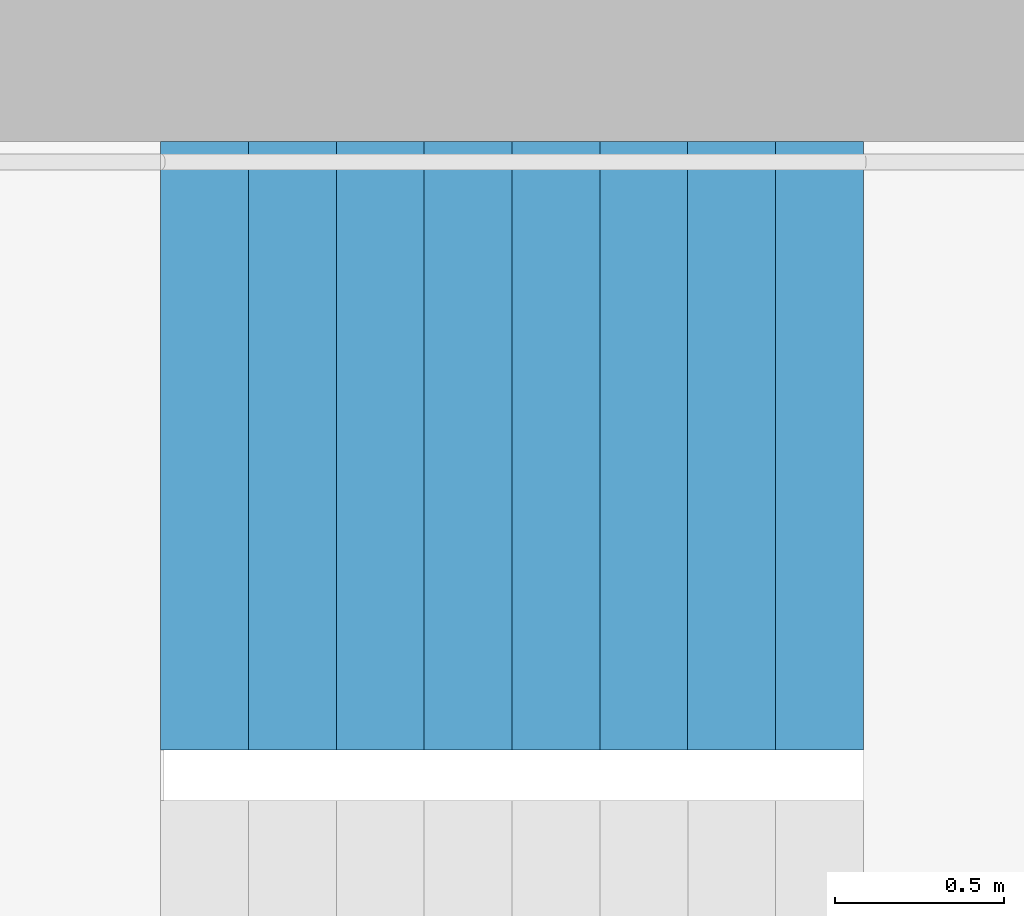
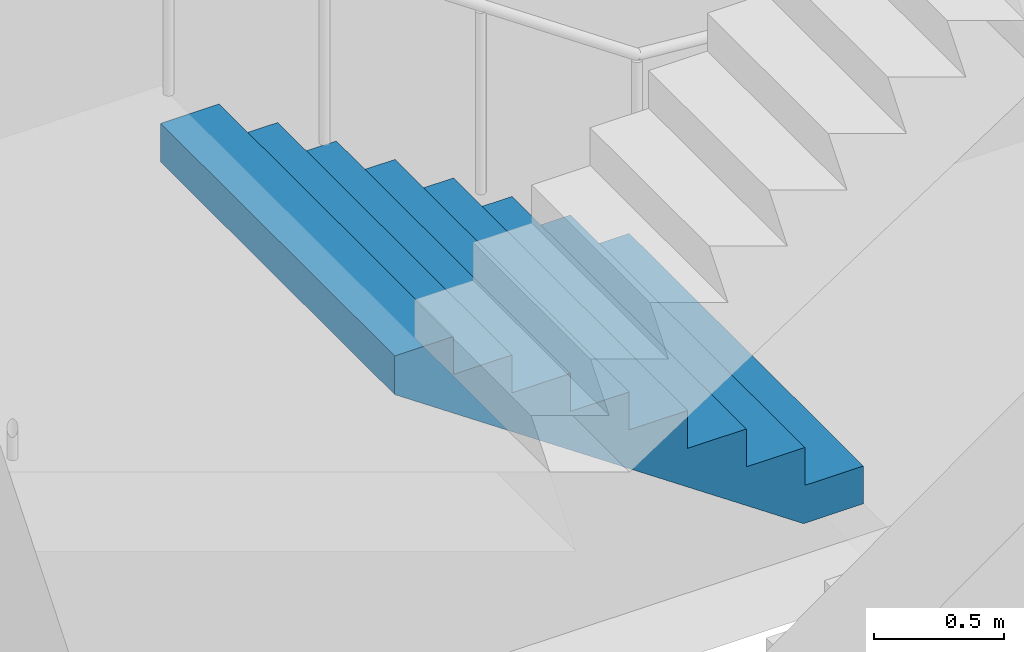
# One storey, part 21 of 41: 1 stair flight, 1 element without a shape of its own.
"""IFC4 building model written with IfcOpenShell, lengths in metres."""

from ifc_helpers import new_model, si_unit, direction, frame, origin, place, context, subcontext, project, spatial, triangles, material, type_object, element, aggregate, save


model = new_model("IFC4")

# Units and contexts
model_context = context("Model", 3, precision=1e-05, world=origin(), true_north=direction((0.0, 1.0)))
body_context = subcontext(model_context, "Body", "Model", "MODEL_VIEW")
ifc_project = project(units=[si_unit("LENGTHUNIT", "METRE"), si_unit("AREAUNIT", "SQUARE_METRE"), si_unit("VOLUMEUNIT", "CUBIC_METRE"), si_unit("PLANEANGLEUNIT", "RADIAN"), si_unit("MASSUNIT", "GRAM", prefix="KILO")], contexts=[model_context])

# Site, building, storey
site_placement = place(None, origin())
site = spatial("IfcSite", under=ifc_project, at=site_placement, CompositionType="ELEMENT")
building_placement = place(site_placement, origin())
building = spatial("IfcBuilding", under=site, at=building_placement, Name="Hakoniwa Tower and Hamabe Station Hall", CompositionType="ELEMENT")
storey_placement = place(building_placement, frame((0.0, 0.0, 180.199951171875)))
storey = spatial("IfcBuildingStorey", under=building, at=storey_placement, Name="L51", CompositionType="ELEMENT", Elevation=180.199951171875)

# Stair, stair flight
ifc_material_1 = material(Name="Concrete C40", Category="concrete")
stair_type = type_object("IfcStairType", Name="ESCAPE STAIR 1800", PredefinedType="HALF_TURN_STAIR", material=ifc_material_1)
stair_placement = place(storey_placement, origin())
stair = element("IfcStair", 1, at=stair_placement, inside=storey, type_object=stair_type, Name="Escape stair ST-1 L51", PredefinedType="HALF_TURN_STAIR")
ifc_material_2 = material(Name="Concrete C40", Category="concrete")
stair_flight_type = type_object("IfcStairFlightType", Name="STAIR FLIGHT 1800", PredefinedType="STRAIGHT", material=ifc_material_2)
stair_flight_placement = place(storey_placement, frame((-22.320068359375, 6.60009765625, 1.60009765625), z_axis=(0.0, 0.0, 1.0), x_axis=(-1.0, 0.0, 0.0)))
stair_flight = element("IfcStairFlight", 2, at=stair_flight_placement, type_object=stair_flight_type, Name="ST-1 flight 2", NumberOfRisers=9, NumberOfTreads=8, PredefinedType="STRAIGHT", RiserHeight=0.177777778, TreadLength=0.26, context=body_context, shape_type="Tessellation", body=[
    triangles([(0.0, 0.89990234375, 0.0), (0.260009765625, 0.89990234375, 0.0), (0.265625, 0.89990234375, 0.0), (0.52001953125, 0.89990234375, 0.174072265625), (0.780029296875, 0.89990234375, 0.351806640625), (1.0400390625, 0.89990234375, 0.529541015625), (1.300048828125, 0.89990234375, 0.707275390625), (1.56005859375, 0.89990234375, 0.885009765625), (1.820068359375, 0.89990234375, 1.062744140625), (2.080078125, 0.89990234375, 1.24072265625), (2.080078125, 0.89990234375, 1.422119140625), (1.820068359375, 0.89990234375, 1.422119140625), (1.820068359375, 0.89990234375, 1.244384765625), (1.56005859375, 0.89990234375, 1.244384765625), (1.56005859375, 0.89990234375, 1.066650390625), (1.300048828125, 0.89990234375, 1.066650390625), (1.300048828125, 0.89990234375, 0.888916015625), (1.0400390625, 0.89990234375, 0.888916015625), (1.0400390625, 0.89990234375, 0.711181640625), (0.780029296875, 0.89990234375, 0.711181640625), (0.780029296875, 0.89990234375, 0.533447265625), (0.52001953125, 0.89990234375, 0.533447265625), (0.52001953125, 0.89990234375, 0.35546875), (0.265625, 0.89990234375, 0.35546875), (0.260009765625, 0.89990234375, 0.35546875), (0.260009765625, 0.89990234375, 0.177734375), (0.0, 0.89990234375, 0.177734375), (0.0, 0.06005859375, 0.0), (0.260009765625, 0.06005859375, 0.0), (0.265625, 0.06005859375, 0.0), (0.52001953125, 0.06005859375, 0.174072265625), (0.780029296875, 0.06005859375, 0.351806640625), (1.0400390625, 0.06005859375, 0.529541015625), (1.300048828125, 0.06005859375, 0.707275390625), (1.56005859375, 0.06005859375, 0.885009765625), (1.820068359375, 0.06005859375, 1.062744140625), (2.080078125, 0.06005859375, 1.24072265625), (2.080078125, 0.06005859375, 1.422119140625), (1.820068359375, 0.06005859375, 1.422119140625), (1.820068359375, 0.06005859375, 1.244384765625), (1.56005859375, 0.06005859375, 1.244384765625), (1.56005859375, 0.06005859375, 1.066650390625), (1.300048828125, 0.06005859375, 1.066650390625), (1.300048828125, 0.06005859375, 0.888916015625), (1.0400390625, 0.06005859375, 0.888916015625), (1.0400390625, 0.06005859375, 0.711181640625), (0.780029296875, 0.06005859375, 0.711181640625), (0.780029296875, 0.06005859375, 0.533447265625), (0.52001953125, 0.06005859375, 0.533447265625), (0.52001953125, 0.06005859375, 0.35546875), (0.265625, 0.06005859375, 0.35546875), (0.260009765625, 0.06005859375, 0.35546875), (0.260009765625, 0.06005859375, 0.177734375), (0.0, 0.06005859375, 0.177734375), (0.0, 0.04296875, 0.0), (0.260009765625, 0.04296875, 0.0), (0.265625, 0.04296875, 0.0), (0.52001953125, 0.04296875, 0.174072265625), (0.780029296875, 0.04296875, 0.351806640625), (1.0400390625, 0.04296875, 0.529541015625), (1.300048828125, 0.04296875, 0.707275390625), (1.56005859375, 0.04296875, 0.885009765625), (1.820068359375, 0.04296875, 1.062744140625), (2.080078125, 0.04296875, 1.24072265625), (2.080078125, 0.04296875, 1.422119140625), (1.820068359375, 0.04296875, 1.422119140625), (1.820068359375, 0.04296875, 1.244384765625), (1.56005859375, 0.04296875, 1.244384765625), (1.56005859375, 0.04296875, 1.066650390625), (1.300048828125, 0.04296875, 1.066650390625), (1.300048828125, 0.04296875, 0.888916015625), (1.0400390625, 0.04296875, 0.888916015625), (1.0400390625, 0.04296875, 0.711181640625), (0.780029296875, 0.04296875, 0.711181640625), (0.780029296875, 0.04296875, 0.533447265625), (0.52001953125, 0.04296875, 0.533447265625), (0.52001953125, 0.04296875, 0.35546875), (0.265625, 0.04296875, 0.35546875), (0.260009765625, 0.04296875, 0.35546875), (0.260009765625, 0.04296875, 0.177734375), (0.0, 0.04296875, 0.177734375), (0.0, 0.025634765625, 0.0), (0.260009765625, 0.025634765625, 0.0), (0.265625, 0.025634765625, 0.0), (0.52001953125, 0.025634765625, 0.174072265625), (0.780029296875, 0.025634765625, 0.351806640625), (1.0400390625, 0.025634765625, 0.529541015625), (1.300048828125, 0.025634765625, 0.707275390625), (1.56005859375, 0.025634765625, 0.885009765625), (1.820068359375, 0.025634765625, 1.062744140625), (2.080078125, 0.025634765625, 1.24072265625), (2.080078125, 0.025634765625, 1.422119140625), (1.820068359375, 0.025634765625, 1.422119140625), (1.820068359375, 0.025634765625, 1.244384765625), (1.56005859375, 0.025634765625, 1.244384765625), (1.56005859375, 0.025634765625, 1.066650390625), (1.300048828125, 0.025634765625, 1.066650390625), (1.300048828125, 0.025634765625, 0.888916015625), (1.0400390625, 0.025634765625, 0.888916015625), (1.0400390625, 0.025634765625, 0.711181640625), (0.780029296875, 0.025634765625, 0.711181640625), (0.780029296875, 0.025634765625, 0.533447265625), (0.52001953125, 0.025634765625, 0.533447265625), (0.52001953125, 0.025634765625, 0.35546875), (0.265625, 0.025634765625, 0.35546875), (0.260009765625, 0.025634765625, 0.35546875), (0.260009765625, 0.025634765625, 0.177734375), (0.0, 0.025634765625, 0.177734375), (0.0, 0.008544921875, 0.0), (0.260009765625, 0.008544921875, 0.0), (0.265625, 0.008544921875, 0.0), (0.52001953125, 0.008544921875, 0.174072265625), (0.780029296875, 0.008544921875, 0.351806640625), (1.0400390625, 0.008544921875, 0.529541015625), (1.300048828125, 0.008544921875, 0.707275390625), (1.56005859375, 0.008544921875, 0.885009765625), (1.820068359375, 0.008544921875, 1.062744140625), (2.080078125, 0.008544921875, 1.24072265625), (2.080078125, 0.008544921875, 1.422119140625), (1.820068359375, 0.008544921875, 1.422119140625), (1.820068359375, 0.008544921875, 1.244384765625), (1.56005859375, 0.008544921875, 1.244384765625), (1.56005859375, 0.008544921875, 1.066650390625), (1.300048828125, 0.008544921875, 1.066650390625), (1.300048828125, 0.008544921875, 0.888916015625), (1.0400390625, 0.008544921875, 0.888916015625), (1.0400390625, 0.008544921875, 0.711181640625), (0.780029296875, 0.008544921875, 0.711181640625), (0.780029296875, 0.008544921875, 0.533447265625), (0.52001953125, 0.008544921875, 0.533447265625), (0.52001953125, 0.008544921875, 0.35546875), (0.265625, 0.008544921875, 0.35546875), (0.260009765625, 0.008544921875, 0.35546875), (0.260009765625, 0.008544921875, 0.177734375), (0.0, 0.008544921875, 0.177734375), (0.0, -0.008544921875, 0.0), (0.260009765625, -0.008544921875, 0.0), (0.265625, -0.008544921875, 0.0), (0.52001953125, -0.008544921875, 0.174072265625), (0.780029296875, -0.008544921875, 0.351806640625), (1.0400390625, -0.008544921875, 0.529541015625), (1.300048828125, -0.008544921875, 0.707275390625), (1.56005859375, -0.008544921875, 0.885009765625), (1.820068359375, -0.008544921875, 1.062744140625), (2.080078125, -0.008544921875, 1.24072265625), (2.080078125, -0.008544921875, 1.422119140625), (1.820068359375, -0.008544921875, 1.422119140625), (1.820068359375, -0.008544921875, 1.244384765625), (1.56005859375, -0.008544921875, 1.244384765625), (1.56005859375, -0.008544921875, 1.066650390625), (1.300048828125, -0.008544921875, 1.066650390625), (1.300048828125, -0.008544921875, 0.888916015625), (1.0400390625, -0.008544921875, 0.888916015625), (1.0400390625, -0.008544921875, 0.711181640625), (0.780029296875, -0.008544921875, 0.711181640625), (0.780029296875, -0.008544921875, 0.533447265625), (0.52001953125, -0.008544921875, 0.533447265625), (0.52001953125, -0.008544921875, 0.35546875), (0.265625, -0.008544921875, 0.35546875), (0.260009765625, -0.008544921875, 0.35546875), (0.260009765625, -0.008544921875, 0.177734375), (0.0, -0.008544921875, 0.177734375), (0.0, -0.025634765625, 0.0), (0.260009765625, -0.025634765625, 0.0), (0.265625, -0.025634765625, 0.0), (0.52001953125, -0.025634765625, 0.174072265625), (0.780029296875, -0.025634765625, 0.351806640625), (1.0400390625, -0.025634765625, 0.529541015625), (1.300048828125, -0.025634765625, 0.707275390625), (1.56005859375, -0.025634765625, 0.885009765625), (1.820068359375, -0.025634765625, 1.062744140625), (2.080078125, -0.025634765625, 1.24072265625), (2.080078125, -0.025634765625, 1.422119140625), (1.820068359375, -0.025634765625, 1.422119140625), (1.820068359375, -0.025634765625, 1.244384765625), (1.56005859375, -0.025634765625, 1.244384765625), (1.56005859375, -0.025634765625, 1.066650390625), (1.300048828125, -0.025634765625, 1.066650390625), (1.300048828125, -0.025634765625, 0.888916015625), (1.0400390625, -0.025634765625, 0.888916015625), (1.0400390625, -0.025634765625, 0.711181640625), (0.780029296875, -0.025634765625, 0.711181640625), (0.780029296875, -0.025634765625, 0.533447265625), (0.52001953125, -0.025634765625, 0.533447265625), (0.52001953125, -0.025634765625, 0.35546875), (0.265625, -0.025634765625, 0.35546875), (0.260009765625, -0.025634765625, 0.35546875), (0.260009765625, -0.025634765625, 0.177734375), (0.0, -0.025634765625, 0.177734375), (0.0, -0.04296875, 0.0), (0.260009765625, -0.04296875, 0.0), (0.265625, -0.04296875, 0.0), (0.52001953125, -0.04296875, 0.174072265625), (0.780029296875, -0.04296875, 0.351806640625), (1.0400390625, -0.04296875, 0.529541015625), (1.300048828125, -0.04296875, 0.707275390625), (1.56005859375, -0.04296875, 0.885009765625), (1.820068359375, -0.04296875, 1.062744140625), (2.080078125, -0.04296875, 1.24072265625), (2.080078125, -0.04296875, 1.422119140625), (1.820068359375, -0.04296875, 1.422119140625), (1.820068359375, -0.04296875, 1.244384765625), (1.56005859375, -0.04296875, 1.244384765625), (1.56005859375, -0.04296875, 1.066650390625), (1.300048828125, -0.04296875, 1.066650390625), (1.300048828125, -0.04296875, 0.888916015625), (1.0400390625, -0.04296875, 0.888916015625), (1.0400390625, -0.04296875, 0.711181640625), (0.780029296875, -0.04296875, 0.711181640625), (0.780029296875, -0.04296875, 0.533447265625), (0.52001953125, -0.04296875, 0.533447265625), (0.52001953125, -0.04296875, 0.35546875), (0.265625, -0.04296875, 0.35546875), (0.260009765625, -0.04296875, 0.35546875), (0.260009765625, -0.04296875, 0.177734375), (0.0, -0.04296875, 0.177734375), (0.0, -0.06005859375, 0.0), (0.260009765625, -0.06005859375, 0.0), (0.265625, -0.06005859375, 0.0), (0.52001953125, -0.06005859375, 0.174072265625), (0.780029296875, -0.06005859375, 0.351806640625), (1.0400390625, -0.06005859375, 0.529541015625), (1.300048828125, -0.06005859375, 0.707275390625), (1.56005859375, -0.06005859375, 0.885009765625), (1.820068359375, -0.06005859375, 1.062744140625), (2.080078125, -0.06005859375, 1.24072265625), (2.080078125, -0.06005859375, 1.422119140625), (1.820068359375, -0.06005859375, 1.422119140625), (1.820068359375, -0.06005859375, 1.244384765625), (1.56005859375, -0.06005859375, 1.244384765625), (1.56005859375, -0.06005859375, 1.066650390625), (1.300048828125, -0.06005859375, 1.066650390625), (1.300048828125, -0.06005859375, 0.888916015625), (1.0400390625, -0.06005859375, 0.888916015625), (1.0400390625, -0.06005859375, 0.711181640625), (0.780029296875, -0.06005859375, 0.711181640625), (0.780029296875, -0.06005859375, 0.533447265625), (0.52001953125, -0.06005859375, 0.533447265625), (0.52001953125, -0.06005859375, 0.35546875), (0.265625, -0.06005859375, 0.35546875), (0.260009765625, -0.06005859375, 0.35546875), (0.260009765625, -0.06005859375, 0.177734375), (0.0, -0.06005859375, 0.177734375), (0.0, -0.89990234375, 0.0), (0.260009765625, -0.89990234375, 0.0), (0.265625, -0.89990234375, 0.0), (0.52001953125, -0.89990234375, 0.174072265625), (0.780029296875, -0.89990234375, 0.351806640625), (1.0400390625, -0.89990234375, 0.529541015625), (1.300048828125, -0.89990234375, 0.707275390625), (1.56005859375, -0.89990234375, 0.885009765625), (1.820068359375, -0.89990234375, 1.062744140625), (2.080078125, -0.89990234375, 1.24072265625), (2.080078125, -0.89990234375, 1.422119140625), (1.820068359375, -0.89990234375, 1.422119140625), (1.820068359375, -0.89990234375, 1.244384765625), (1.56005859375, -0.89990234375, 1.244384765625), (1.56005859375, -0.89990234375, 1.066650390625), (1.300048828125, -0.89990234375, 1.066650390625), (1.300048828125, -0.89990234375, 0.888916015625), (1.0400390625, -0.89990234375, 0.888916015625), (1.0400390625, -0.89990234375, 0.711181640625), (0.780029296875, -0.89990234375, 0.711181640625), (0.780029296875, -0.89990234375, 0.533447265625), (0.52001953125, -0.89990234375, 0.533447265625), (0.52001953125, -0.89990234375, 0.35546875), (0.265625, -0.89990234375, 0.35546875), (0.260009765625, -0.89990234375, 0.35546875), (0.260009765625, -0.89990234375, 0.177734375), (0.0, -0.89990234375, 0.177734375)], [[2, 27, 26], [245, 269, 270], [2, 1, 27], [245, 270, 244], [3, 25, 24], [246, 267, 268], [3, 26, 25], [246, 268, 269], [3, 2, 26], [246, 269, 245], [4, 24, 23], [247, 266, 267], [4, 3, 24], [247, 267, 246], [5, 22, 21], [248, 264, 265], [5, 23, 22], [248, 265, 266], [5, 4, 23], [248, 266, 247], [6, 20, 19], [249, 262, 263], [6, 21, 20], [249, 263, 264], [6, 5, 21], [249, 264, 248], [7, 18, 17], [250, 260, 261], [7, 19, 18], [250, 261, 262], [7, 6, 19], [250, 262, 249], [8, 16, 15], [251, 258, 259], [8, 17, 16], [251, 259, 260], [8, 7, 17], [251, 260, 250], [9, 14, 13], [252, 256, 257], [9, 15, 14], [252, 257, 258], [9, 8, 15], [252, 258, 251], [10, 12, 11], [253, 254, 255], [10, 13, 12], [253, 255, 256], [10, 9, 13], [253, 256, 252], [1, 2, 29], [1, 29, 28], [28, 29, 56], [28, 56, 55], [55, 56, 83], [55, 83, 82], [82, 83, 110], [82, 110, 109], [109, 110, 137], [109, 137, 136], [136, 137, 164], [136, 164, 163], [163, 164, 191], [163, 191, 190], [190, 191, 218], [190, 218, 217], [217, 218, 245], [217, 245, 244], [2, 3, 30], [2, 30, 29], [29, 30, 57], [29, 57, 56], [56, 57, 84], [56, 84, 83], [83, 84, 111], [83, 111, 110], [110, 111, 138], [110, 138, 137], [137, 138, 165], [137, 165, 164], [164, 165, 192], [164, 192, 191], [191, 192, 219], [191, 219, 218], [218, 219, 246], [218, 246, 245], [3, 4, 31], [3, 31, 30], [30, 31, 58], [30, 58, 57], [57, 58, 85], [57, 85, 84], [84, 85, 112], [84, 112, 111], [111, 112, 139], [111, 139, 138], [138, 139, 166], [138, 166, 165], [165, 166, 193], [165, 193, 192], [192, 193, 220], [192, 220, 219], [219, 220, 247], [219, 247, 246], [4, 5, 32], [4, 32, 31], [31, 32, 59], [31, 59, 58], [58, 59, 86], [58, 86, 85], [85, 86, 113], [85, 113, 112], [112, 113, 140], [112, 140, 139], [139, 140, 167], [139, 167, 166], [166, 167, 194], [166, 194, 193], [193, 194, 221], [193, 221, 220], [220, 221, 248], [220, 248, 247], [5, 6, 33], [5, 33, 32], [32, 33, 60], [32, 60, 59], [59, 60, 87], [59, 87, 86], [86, 87, 114], [86, 114, 113], [113, 114, 141], [113, 141, 140], [140, 141, 168], [140, 168, 167], [167, 168, 195], [167, 195, 194], [194, 195, 222], [194, 222, 221], [221, 222, 249], [221, 249, 248], [6, 7, 34], [6, 34, 33], [33, 34, 61], [33, 61, 60], [60, 61, 88], [60, 88, 87], [87, 88, 115], [87, 115, 114], [114, 115, 142], [114, 142, 141], [141, 142, 169], [141, 169, 168], [168, 169, 196], [168, 196, 195], [195, 196, 223], [195, 223, 222], [222, 223, 250], [222, 250, 249], [7, 8, 35], [7, 35, 34], [34, 35, 62], [34, 62, 61], [61, 62, 89], [61, 89, 88], [88, 89, 116], [88, 116, 115], [115, 116, 143], [115, 143, 142], [142, 143, 170], [142, 170, 169], [169, 170, 197], [169, 197, 196], [196, 197, 224], [196, 224, 223], [223, 224, 251], [223, 251, 250], [8, 9, 36], [8, 36, 35], [35, 36, 63], [35, 63, 62], [62, 63, 90], [62, 90, 89], [89, 90, 117], [89, 117, 116], [116, 117, 144], [116, 144, 143], [143, 144, 171], [143, 171, 170], [170, 171, 198], [170, 198, 197], [197, 198, 225], [197, 225, 224], [224, 225, 252], [224, 252, 251], [9, 10, 37], [9, 37, 36], [36, 37, 64], [36, 64, 63], [63, 64, 91], [63, 91, 90], [90, 91, 118], [90, 118, 117], [117, 118, 145], [117, 145, 144], [144, 145, 172], [144, 172, 171], [171, 172, 199], [171, 199, 198], [198, 199, 226], [198, 226, 225], [225, 226, 253], [225, 253, 252], [10, 11, 38], [10, 38, 37], [37, 38, 65], [37, 65, 64], [64, 65, 92], [64, 92, 91], [91, 92, 119], [91, 119, 118], [118, 119, 146], [118, 146, 145], [145, 146, 173], [145, 173, 172], [172, 173, 200], [172, 200, 199], [199, 200, 227], [199, 227, 226], [226, 227, 254], [226, 254, 253], [11, 12, 39], [11, 39, 38], [38, 39, 66], [38, 66, 65], [65, 66, 93], [65, 93, 92], [92, 93, 120], [92, 120, 119], [119, 120, 147], [119, 147, 146], [146, 147, 174], [146, 174, 173], [173, 174, 201], [173, 201, 200], [200, 201, 228], [200, 228, 227], [227, 228, 255], [227, 255, 254], [12, 13, 40], [12, 40, 39], [39, 40, 67], [39, 67, 66], [66, 67, 94], [66, 94, 93], [93, 94, 121], [93, 121, 120], [120, 121, 148], [120, 148, 147], [147, 148, 175], [147, 175, 174], [174, 175, 202], [174, 202, 201], [201, 202, 229], [201, 229, 228], [228, 229, 256], [228, 256, 255], [13, 14, 41], [13, 41, 40], [40, 41, 68], [40, 68, 67], [67, 68, 95], [67, 95, 94], [94, 95, 122], [94, 122, 121], [121, 122, 149], [121, 149, 148], [148, 149, 176], [148, 176, 175], [175, 176, 203], [175, 203, 202], [202, 203, 230], [202, 230, 229], [229, 230, 257], [229, 257, 256], [14, 15, 42], [14, 42, 41], [41, 42, 69], [41, 69, 68], [68, 69, 96], [68, 96, 95], [95, 96, 123], [95, 123, 122], [122, 123, 150], [122, 150, 149], [149, 150, 177], [149, 177, 176], [176, 177, 204], [176, 204, 203], [203, 204, 231], [203, 231, 230], [230, 231, 258], [230, 258, 257], [15, 16, 43], [15, 43, 42], [42, 43, 70], [42, 70, 69], [69, 70, 97], [69, 97, 96], [96, 97, 124], [96, 124, 123], [123, 124, 151], [123, 151, 150], [150, 151, 178], [150, 178, 177], [177, 178, 205], [177, 205, 204], [204, 205, 232], [204, 232, 231], [231, 232, 259], [231, 259, 258], [16, 17, 44], [16, 44, 43], [43, 44, 71], [43, 71, 70], [70, 71, 98], [70, 98, 97], [97, 98, 125], [97, 125, 124], [124, 125, 152], [124, 152, 151], [151, 152, 179], [151, 179, 178], [178, 179, 206], [178, 206, 205], [205, 206, 233], [205, 233, 232], [232, 233, 260], [232, 260, 259], [17, 18, 45], [17, 45, 44], [44, 45, 72], [44, 72, 71], [71, 72, 99], [71, 99, 98], [98, 99, 126], [98, 126, 125], [125, 126, 153], [125, 153, 152], [152, 153, 180], [152, 180, 179], [179, 180, 207], [179, 207, 206], [206, 207, 234], [206, 234, 233], [233, 234, 261], [233, 261, 260], [18, 19, 46], [18, 46, 45], [45, 46, 73], [45, 73, 72], [72, 73, 100], [72, 100, 99], [99, 100, 127], [99, 127, 126], [126, 127, 154], [126, 154, 153], [153, 154, 181], [153, 181, 180], [180, 181, 208], [180, 208, 207], [207, 208, 235], [207, 235, 234], [234, 235, 262], [234, 262, 261], [19, 20, 47], [19, 47, 46], [46, 47, 74], [46, 74, 73], [73, 74, 101], [73, 101, 100], [100, 101, 128], [100, 128, 127], [127, 128, 155], [127, 155, 154], [154, 155, 182], [154, 182, 181], [181, 182, 209], [181, 209, 208], [208, 209, 236], [208, 236, 235], [235, 236, 263], [235, 263, 262], [20, 21, 48], [20, 48, 47], [47, 48, 75], [47, 75, 74], [74, 75, 102], [74, 102, 101], [101, 102, 129], [101, 129, 128], [128, 129, 156], [128, 156, 155], [155, 156, 183], [155, 183, 182], [182, 183, 210], [182, 210, 209], [209, 210, 237], [209, 237, 236], [236, 237, 264], [236, 264, 263], [21, 22, 49], [21, 49, 48], [48, 49, 76], [48, 76, 75], [75, 76, 103], [75, 103, 102], [102, 103, 130], [102, 130, 129], [129, 130, 157], [129, 157, 156], [156, 157, 184], [156, 184, 183], [183, 184, 211], [183, 211, 210], [210, 211, 238], [210, 238, 237], [237, 238, 265], [237, 265, 264], [22, 23, 50], [22, 50, 49], [49, 50, 77], [49, 77, 76], [76, 77, 104], [76, 104, 103], [103, 104, 131], [103, 131, 130], [130, 131, 158], [130, 158, 157], [157, 158, 185], [157, 185, 184], [184, 185, 212], [184, 212, 211], [211, 212, 239], [211, 239, 238], [238, 239, 266], [238, 266, 265], [23, 24, 51], [23, 51, 50], [50, 51, 78], [50, 78, 77], [77, 78, 105], [77, 105, 104], [104, 105, 132], [104, 132, 131], [131, 132, 159], [131, 159, 158], [158, 159, 186], [158, 186, 185], [185, 186, 213], [185, 213, 212], [212, 213, 240], [212, 240, 239], [239, 240, 267], [239, 267, 266], [24, 25, 52], [24, 52, 51], [51, 52, 79], [51, 79, 78], [78, 79, 106], [78, 106, 105], [105, 106, 133], [105, 133, 132], [132, 133, 160], [132, 160, 159], [159, 160, 187], [159, 187, 186], [186, 187, 214], [186, 214, 213], [213, 214, 241], [213, 241, 240], [240, 241, 268], [240, 268, 267], [25, 26, 53], [25, 53, 52], [52, 53, 80], [52, 80, 79], [79, 80, 107], [79, 107, 106], [106, 107, 134], [106, 134, 133], [133, 134, 161], [133, 161, 160], [160, 161, 188], [160, 188, 187], [187, 188, 215], [187, 215, 214], [214, 215, 242], [214, 242, 241], [241, 242, 269], [241, 269, 268], [26, 27, 54], [26, 54, 53], [53, 54, 81], [53, 81, 80], [80, 81, 108], [80, 108, 107], [107, 108, 135], [107, 135, 134], [134, 135, 162], [134, 162, 161], [161, 162, 189], [161, 189, 188], [188, 189, 216], [188, 216, 215], [215, 216, 243], [215, 243, 242], [242, 243, 270], [242, 270, 269], [27, 1, 28], [27, 28, 54], [54, 28, 55], [54, 55, 81], [81, 55, 82], [81, 82, 108], [108, 82, 109], [108, 109, 135], [135, 109, 136], [135, 136, 162], [162, 136, 163], [162, 163, 189], [189, 163, 190], [189, 190, 216], [216, 190, 217], [216, 217, 243], [243, 217, 244], [243, 244, 270]], closed=True),
])
aggregate(stair, [stair_flight])

save(model, "model.ifc")
